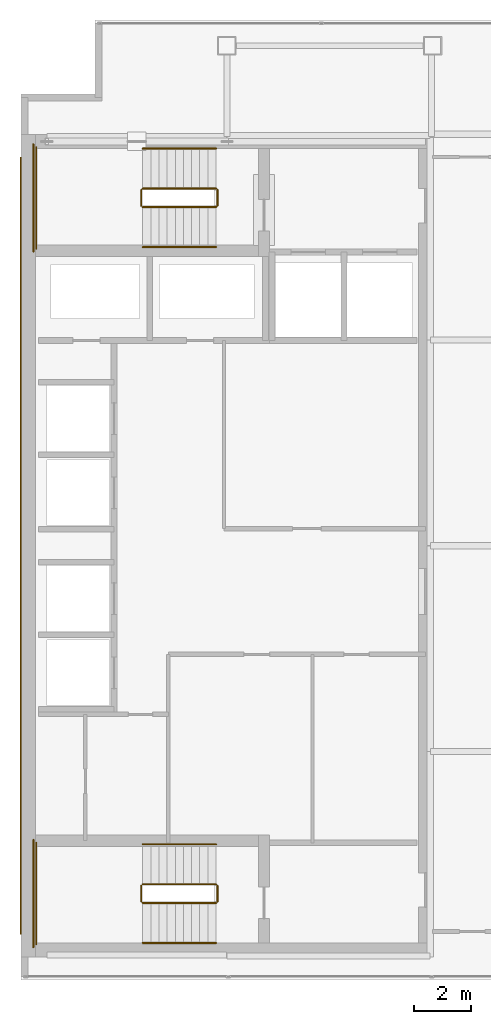
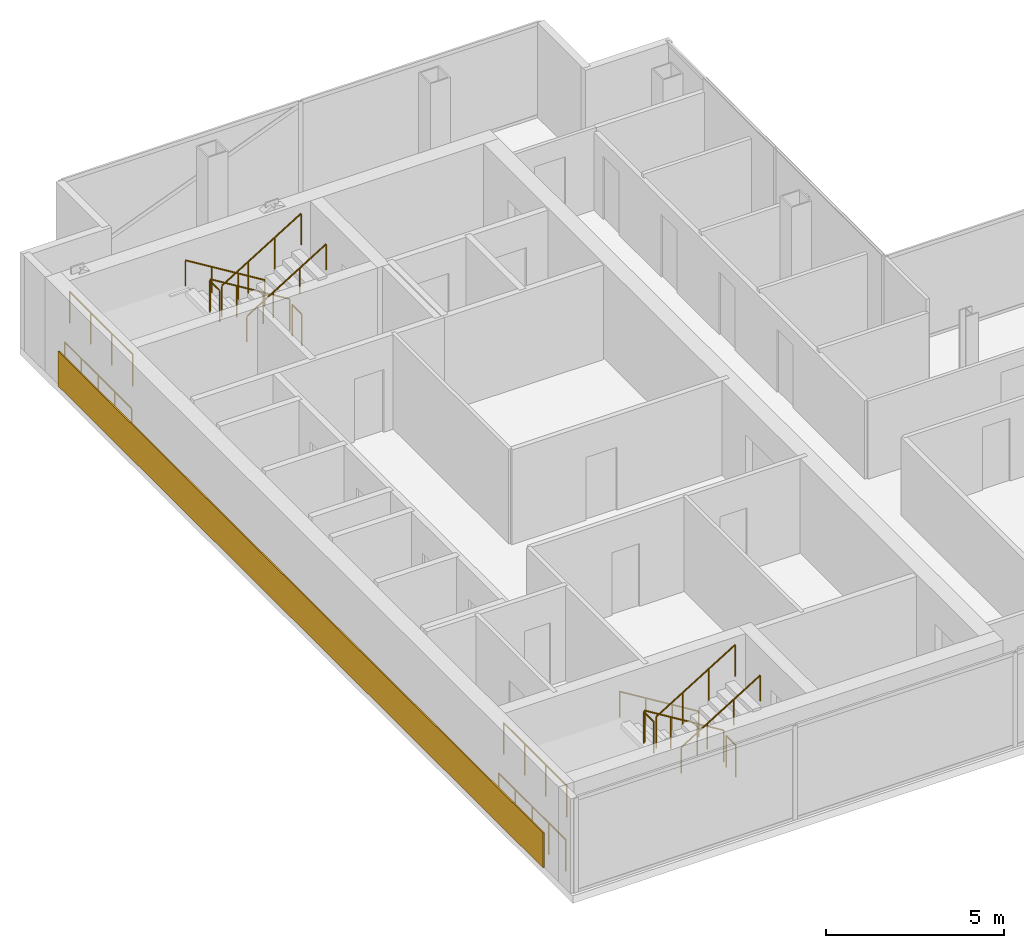
# One storey, part 23 of 23: 16 railings, 1 covering.
"""IFC4 building model written with IfcOpenShell, lengths in metres."""

from ifc_helpers import new_model, si_unit, direction, frame, origin, origin_2d, place, context, subcontext, project, spatial, polyline, circle, outline, extrude, material, layer, layer_set, type_object, element, save


model = new_model("IFC4")

# Units and contexts
model_context = context("Model", 3, precision=1e-05, world=origin(), true_north=direction((0.0, 1.0)))
body_context = subcontext(model_context, "Body", "Model", "MODEL_VIEW")
ifc_project = project(units=[si_unit("LENGTHUNIT", "METRE"), si_unit("AREAUNIT", "SQUARE_METRE"), si_unit("VOLUMEUNIT", "CUBIC_METRE"), si_unit("PLANEANGLEUNIT", "RADIAN"), si_unit("MASSUNIT", "GRAM", prefix="KILO")], contexts=[model_context])

# Site, building, storey
site_placement = place(None, origin())
site = spatial("IfcSite", under=ifc_project, at=site_placement, CompositionType="ELEMENT")
building_placement = place(site_placement, origin())
building = spatial("IfcBuilding", under=site, at=building_placement, Name="Cobrela Telecom Tower", CompositionType="ELEMENT")
storey_placement = place(building_placement, frame((0.0, 0.0, 269.14990234375)))
storey = spatial("IfcBuildingStorey", under=building, at=storey_placement, Name="L70", CompositionType="ELEMENT", Elevation=269.14990234375)

# Covering
ifc_material_1 = material(Name="Bogota Terracotta Architectural Stone", Category="masonry")
ifc_layer = layer(ifc_material_1, 0.0400390625)
ifc_layer_set = layer_set([ifc_layer], Name="Bogota Terracotta Architectural Stone")
covering_type = type_object("IfcCoveringType", Name="COV-CLAD-TERRA", PredefinedType="CLADDING", material=ifc_layer_set)
covering_placement = place(storey_placement, origin())
element("IfcCovering", 1, at=covering_placement, inside=storey, type_object=covering_type, Name="L70 West Core Terracotta Spandrel Cladding Band", PredefinedType="CLADDING", context=body_context, shape_type="SweptSolid", body=[
    extrude(outline(polyline([(-0.0400390625, 8.0), (0.0, 8.0), (0.0, 35.199951171875), (-0.0400390625, 35.199951171875), (-0.0400390625, 8.0)])), origin(), (0.0, 0.0, 1.0), 1.2001953125),
])

# Railings
ifc_material_2 = material(Name="Steel ASTM A36", Category="steel")
railing_type_1 = type_object("IfcRailingType", Name="RAIL-GUARD-1100", PredefinedType="GUARDRAIL", material=ifc_material_2)
railing_1_placement = place(storey_placement, frame((6.820068359375, 34.10009765625, 0.175048828125)))
element("IfcRailing", 2, at=railing_1_placement, inside=storey, type_object=railing_type_1, Name="L70 ST1 stair guard 1", PredefinedType="GUARDRAIL", context=body_context, shape_type="SweptSolid", body=[
    extrude(circle(Radius=0.02392578125, at=origin_2d()), frame((0.0, 0.0, 1.076171875), z_axis=(-0.852195335862, 0.0, 0.523223766217), x_axis=(0.0, -1.0, 0.0)), (0.0, 0.0, 1.0), 3.010009765625),
    extrude(circle(Radius=0.02099609375, at=origin_2d()), origin(), (0.0, 0.0, 1.0), 1.052001953125),
    extrude(circle(Radius=0.02099609375, at=origin_2d()), frame((-0.85498046875, 0.0, 0.52490234375)), (0.0, 0.0, 1.0), 1.052001953125),
    extrude(circle(Radius=0.02099609375, at=origin_2d()), frame((-1.710205078125, 0.0, 1.050048828125)), (0.0, 0.0, 1.0), 1.052001953125),
    extrude(circle(Radius=0.02099609375, at=origin_2d()), frame((-2.565185546875, 0.0, 1.574951171875)), (0.0, 0.0, 1.0), 1.052001953125),
])
railing_2_placement = place(storey_placement, frame((4.205078125, 34.050048828125, 1.75)))
element("IfcRailing", 3, at=railing_2_placement, inside=storey, type_object=railing_type_1, Name="L70 ST1 stair guard 2", PredefinedType="GUARDRAIL", context=body_context, shape_type="SweptSolid", body=[
    extrude(circle(Radius=0.02392578125, at=origin_2d()), frame((0.0, 0.0, 1.076171875), z_axis=(0.0, -1.0, 0.0), x_axis=(1.0, 0.0, 0.0)), (0.0, 0.0, 1.0), 0.550048828125),
    extrude(circle(Radius=0.02099609375, at=origin_2d()), origin(), (0.0, 0.0, 1.0), 1.052001953125),
    extrude(circle(Radius=0.02099609375, at=origin_2d()), frame((0.0, -0.550048828125, 0.0)), (0.0, 0.0, 1.0), 1.052001953125),
])
railing_3_placement = place(storey_placement, frame((0.530029296875, 35.550048828125, 1.75)))
element("IfcRailing", 4, at=railing_3_placement, inside=storey, type_object=railing_type_1, Name="L70 ST1 stair guard 3", PredefinedType="GUARDRAIL", context=body_context, shape_type="SweptSolid", body=[
    extrude(circle(Radius=0.02392578125, at=origin_2d()), frame((0.0, 0.0, 1.076171875), z_axis=(0.0, -1.0, 0.0), x_axis=(1.0, 0.0, 0.0)), (0.0, 0.0, 1.0), 3.550048828125),
    extrude(circle(Radius=0.02099609375, at=origin_2d()), origin(), (0.0, 0.0, 1.0), 1.052001953125),
    extrude(circle(Radius=0.02099609375, at=origin_2d()), frame((0.0, -1.183349609375, 0.0)), (0.0, 0.0, 1.0), 1.052001953125),
    extrude(circle(Radius=0.02099609375, at=origin_2d()), frame((0.0, -2.36669921875, 0.0)), (0.0, 0.0, 1.0), 1.052001953125),
    extrude(circle(Radius=0.02099609375, at=origin_2d()), frame((0.0, -3.550048828125, 0.0)), (0.0, 0.0, 1.0), 1.052001953125),
])
railing_4_placement = place(storey_placement, frame((4.2548828125, 33.449951171875, 1.925048828125)))
element("IfcRailing", 5, at=railing_4_placement, inside=storey, type_object=railing_type_1, Name="L70 ST1 stair guard 4", PredefinedType="GUARDRAIL", context=body_context, shape_type="SweptSolid", body=[
    extrude(circle(Radius=0.02392578125, at=origin_2d()), frame((0.0, 0.0, 1.076171875), z_axis=(0.852195335862, 0.0, 0.523223766217), x_axis=(0.0, 1.0, 0.0)), (0.0, 0.0, 1.0), 3.010009765625),
    extrude(circle(Radius=0.02099609375, at=origin_2d()), origin(), (0.0, 0.0, 1.0), 1.052001953125),
    extrude(circle(Radius=0.02099609375, at=origin_2d()), frame((0.85498046875, 0.0, 0.52490234375)), (0.0, 0.0, 1.0), 1.052001953125),
    extrude(circle(Radius=0.02099609375, at=origin_2d()), frame((1.710205078125, 0.0, 1.050048828125)), (0.0, 0.0, 1.0), 1.052001953125),
    extrude(circle(Radius=0.02099609375, at=origin_2d()), frame((2.565185546875, 0.0, 1.574951171875)), (0.0, 0.0, 1.0), 1.052001953125),
])
railing_5_placement = place(storey_placement, frame((6.8701171875, 34.050048828125, 0.0)))
element("IfcRailing", 6, at=railing_5_placement, inside=storey, type_object=railing_type_1, Name="L70 ST1 stair guard 5", PredefinedType="GUARDRAIL", context=body_context, shape_type="SweptSolid", body=[
    extrude(circle(Radius=0.02392578125, at=origin_2d()), frame((0.0, 0.0, 1.076171875), z_axis=(0.0, -1.0, 0.0), x_axis=(1.0, 0.0, 0.0)), (0.0, 0.0, 1.0), 0.550048828125),
    extrude(circle(Radius=0.02099609375, at=origin_2d()), origin(), (0.0, 0.0, 1.0), 1.052001953125),
    extrude(circle(Radius=0.02099609375, at=origin_2d()), frame((0.0, -0.550048828125, 0.0)), (0.0, 0.0, 1.0), 1.052001953125),
])
railing_6_placement = place(storey_placement, frame((0.429931640625, 35.64990234375, 0.0)))
element("IfcRailing", 7, at=railing_6_placement, inside=storey, type_object=railing_type_1, Name="L70 ST1 stair guard 6", PredefinedType="GUARDRAIL", context=body_context, shape_type="SweptSolid", body=[
    extrude(circle(Radius=0.02392578125, at=origin_2d()), frame((0.0, 0.0, 1.076171875), z_axis=(0.0, -1.0, 0.0), x_axis=(1.0, 0.0, 0.0)), (0.0, 0.0, 1.0), 3.75),
    extrude(circle(Radius=0.02099609375, at=origin_2d()), origin(), (0.0, 0.0, 1.0), 1.052001953125),
    extrude(circle(Radius=0.02099609375, at=origin_2d()), frame((0.0, -0.9375, 0.0)), (0.0, 0.0, 1.0), 1.052001953125),
    extrude(circle(Radius=0.02099609375, at=origin_2d()), frame((0.0, -1.875, 0.0)), (0.0, 0.0, 1.0), 1.052001953125),
    extrude(circle(Radius=0.02099609375, at=origin_2d()), frame((0.0, -2.8125, 0.0)), (0.0, 0.0, 1.0), 1.052001953125),
    extrude(circle(Radius=0.02099609375, at=origin_2d()), frame((0.0, -3.75, 0.0)), (0.0, 0.0, 1.0), 1.052001953125),
])
railing_7_placement = place(storey_placement, frame((6.820068359375, 9.75, 0.175048828125)))
element("IfcRailing", 8, at=railing_7_placement, inside=storey, type_object=railing_type_1, Name="L70 ST2 stair guard 1", PredefinedType="GUARDRAIL", context=body_context, shape_type="SweptSolid", body=[
    extrude(circle(Radius=0.02392578125, at=origin_2d()), frame((0.0, 0.0, 1.076171875), z_axis=(-0.852195335862, 0.0, 0.523223766217), x_axis=(0.0, -1.0, 0.0)), (0.0, 0.0, 1.0), 3.010009765625),
    extrude(circle(Radius=0.02099609375, at=origin_2d()), origin(), (0.0, 0.0, 1.0), 1.052001953125),
    extrude(circle(Radius=0.02099609375, at=origin_2d()), frame((-0.85498046875, 0.0, 0.52490234375)), (0.0, 0.0, 1.0), 1.052001953125),
    extrude(circle(Radius=0.02099609375, at=origin_2d()), frame((-1.710205078125, 0.0, 1.050048828125)), (0.0, 0.0, 1.0), 1.052001953125),
    extrude(circle(Radius=0.02099609375, at=origin_2d()), frame((-2.565185546875, 0.0, 1.574951171875)), (0.0, 0.0, 1.0), 1.052001953125),
])
railing_8_placement = place(storey_placement, frame((4.205078125, 9.699951171875, 1.75)))
element("IfcRailing", 9, at=railing_8_placement, inside=storey, type_object=railing_type_1, Name="L70 ST2 stair guard 2", PredefinedType="GUARDRAIL", context=body_context, shape_type="SweptSolid", body=[
    extrude(circle(Radius=0.02392578125, at=origin_2d()), frame((0.0, 0.0, 1.076171875), z_axis=(0.0, -1.0, 0.0), x_axis=(1.0, 0.0, 0.0)), (0.0, 0.0, 1.0), 0.550048828125),
    extrude(circle(Radius=0.02099609375, at=origin_2d()), origin(), (0.0, 0.0, 1.0), 1.052001953125),
    extrude(circle(Radius=0.02099609375, at=origin_2d()), frame((0.0, -0.550048828125, 0.0)), (0.0, 0.0, 1.0), 1.052001953125),
])
railing_9_placement = place(storey_placement, frame((0.530029296875, 11.199951171875, 1.75)))
element("IfcRailing", 10, at=railing_9_placement, inside=storey, type_object=railing_type_1, Name="L70 ST2 stair guard 3", PredefinedType="GUARDRAIL", context=body_context, shape_type="SweptSolid", body=[
    extrude(circle(Radius=0.02392578125, at=origin_2d()), frame((0.0, 0.0, 1.076171875), z_axis=(0.0, -1.0, 0.0), x_axis=(1.0, 0.0, 0.0)), (0.0, 0.0, 1.0), 3.550048828125),
    extrude(circle(Radius=0.02099609375, at=origin_2d()), origin(), (0.0, 0.0, 1.0), 1.052001953125),
    extrude(circle(Radius=0.02099609375, at=origin_2d()), frame((0.0, -1.183349609375, 0.0)), (0.0, 0.0, 1.0), 1.052001953125),
    extrude(circle(Radius=0.02099609375, at=origin_2d()), frame((0.0, -2.36669921875, 0.0)), (0.0, 0.0, 1.0), 1.052001953125),
    extrude(circle(Radius=0.02099609375, at=origin_2d()), frame((0.0, -3.550048828125, 0.0)), (0.0, 0.0, 1.0), 1.052001953125),
])
railing_10_placement = place(storey_placement, frame((4.2548828125, 9.10009765625, 1.925048828125)))
element("IfcRailing", 11, at=railing_10_placement, inside=storey, type_object=railing_type_1, Name="L70 ST2 stair guard 4", PredefinedType="GUARDRAIL", context=body_context, shape_type="SweptSolid", body=[
    extrude(circle(Radius=0.02392578125, at=origin_2d()), frame((0.0, 0.0, 1.076171875), z_axis=(0.852195335862, 0.0, 0.523223766217), x_axis=(0.0, 1.0, 0.0)), (0.0, 0.0, 1.0), 3.010009765625),
    extrude(circle(Radius=0.02099609375, at=origin_2d()), origin(), (0.0, 0.0, 1.0), 1.052001953125),
    extrude(circle(Radius=0.02099609375, at=origin_2d()), frame((0.85498046875, 0.0, 0.52490234375)), (0.0, 0.0, 1.0), 1.052001953125),
    extrude(circle(Radius=0.02099609375, at=origin_2d()), frame((1.710205078125, 0.0, 1.050048828125)), (0.0, 0.0, 1.0), 1.052001953125),
    extrude(circle(Radius=0.02099609375, at=origin_2d()), frame((2.565185546875, 0.0, 1.574951171875)), (0.0, 0.0, 1.0), 1.052001953125),
])
railing_11_placement = place(storey_placement, frame((6.8701171875, 9.699951171875, 0.0)))
element("IfcRailing", 12, at=railing_11_placement, inside=storey, type_object=railing_type_1, Name="L70 ST2 stair guard 5", PredefinedType="GUARDRAIL", context=body_context, shape_type="SweptSolid", body=[
    extrude(circle(Radius=0.02392578125, at=origin_2d()), frame((0.0, 0.0, 1.076171875), z_axis=(0.0, -1.0, 0.0), x_axis=(1.0, 0.0, 0.0)), (0.0, 0.0, 1.0), 0.550048828125),
    extrude(circle(Radius=0.02099609375, at=origin_2d()), origin(), (0.0, 0.0, 1.0), 1.052001953125),
    extrude(circle(Radius=0.02099609375, at=origin_2d()), frame((0.0, -0.550048828125, 0.0)), (0.0, 0.0, 1.0), 1.052001953125),
])
railing_12_placement = place(storey_placement, frame((0.429931640625, 11.300048828125, 0.0)))
element("IfcRailing", 13, at=railing_12_placement, inside=storey, type_object=railing_type_1, Name="L70 ST2 stair guard 6", PredefinedType="GUARDRAIL", context=body_context, shape_type="SweptSolid", body=[
    extrude(circle(Radius=0.02392578125, at=origin_2d()), frame((0.0, 0.0, 1.076171875), z_axis=(0.0, -1.0, 0.0), x_axis=(1.0, 0.0, 0.0)), (0.0, 0.0, 1.0), 3.75),
    extrude(circle(Radius=0.02099609375, at=origin_2d()), origin(), (0.0, 0.0, 1.0), 1.052001953125),
    extrude(circle(Radius=0.02099609375, at=origin_2d()), frame((0.0, -0.9375, 0.0)), (0.0, 0.0, 1.0), 1.052001953125),
    extrude(circle(Radius=0.02099609375, at=origin_2d()), frame((0.0, -1.875, 0.0)), (0.0, 0.0, 1.0), 1.052001953125),
    extrude(circle(Radius=0.02099609375, at=origin_2d()), frame((0.0, -2.8125, 0.0)), (0.0, 0.0, 1.0), 1.052001953125),
    extrude(circle(Radius=0.02099609375, at=origin_2d()), frame((0.0, -3.75, 0.0)), (0.0, 0.0, 1.0), 1.052001953125),
])
railing_type_2 = type_object("IfcRailingType", Name="RAIL-HAND-920", PredefinedType="HANDRAIL", material=ifc_material_2)
railing_13_placement = place(storey_placement, frame((6.820068359375, 35.5, 0.175048828125)))
element("IfcRailing", 14, at=railing_13_placement, inside=storey, type_object=railing_type_2, Name="L70 ST1 stair handrail 1", PredefinedType="HANDRAIL", context=body_context, shape_type="SweptSolid", body=[
    extrude(circle(Radius=0.02392578125, at=origin_2d()), frame((0.0, 0.0, 0.8759765625), z_axis=(-0.852195335862, 0.0, 0.523223766217), x_axis=(0.0, -1.0, 0.0)), (0.0, 0.0, 1.0), 3.010009765625),
    extrude(circle(Radius=0.02099609375, at=origin_2d()), origin(), (0.0, 0.0, 1.0), 0.851806640625),
    extrude(circle(Radius=0.02099609375, at=origin_2d()), frame((-0.85498046875, 0.0, 0.52490234375)), (0.0, 0.0, 1.0), 0.851806640625),
    extrude(circle(Radius=0.02099609375, at=origin_2d()), frame((-1.710205078125, 0.0, 1.050048828125)), (0.0, 0.0, 1.0), 0.851806640625),
    extrude(circle(Radius=0.02099609375, at=origin_2d()), frame((-2.565185546875, 0.0, 1.574951171875)), (0.0, 0.0, 1.0), 0.851806640625),
])
railing_14_placement = place(storey_placement, frame((4.2548828125, 32.050048828125, 1.925048828125)))
element("IfcRailing", 15, at=railing_14_placement, inside=storey, type_object=railing_type_2, Name="L70 ST1 stair handrail 2", PredefinedType="HANDRAIL", context=body_context, shape_type="SweptSolid", body=[
    extrude(circle(Radius=0.02392578125, at=origin_2d()), frame((0.0, 0.0, 0.8759765625), z_axis=(0.852195335862, 0.0, 0.523223766217), x_axis=(0.0, 1.0, 0.0)), (0.0, 0.0, 1.0), 3.010009765625),
    extrude(circle(Radius=0.02099609375, at=origin_2d()), origin(), (0.0, 0.0, 1.0), 0.851806640625),
    extrude(circle(Radius=0.02099609375, at=origin_2d()), frame((0.85498046875, 0.0, 0.52490234375)), (0.0, 0.0, 1.0), 0.851806640625),
    extrude(circle(Radius=0.02099609375, at=origin_2d()), frame((1.710205078125, 0.0, 1.050048828125)), (0.0, 0.0, 1.0), 0.851806640625),
    extrude(circle(Radius=0.02099609375, at=origin_2d()), frame((2.565185546875, 0.0, 1.574951171875)), (0.0, 0.0, 1.0), 0.851806640625),
])
railing_15_placement = place(storey_placement, frame((6.820068359375, 11.14990234375, 0.175048828125)))
element("IfcRailing", 16, at=railing_15_placement, inside=storey, type_object=railing_type_2, Name="L70 ST2 stair handrail 1", PredefinedType="HANDRAIL", context=body_context, shape_type="SweptSolid", body=[
    extrude(circle(Radius=0.02392578125, at=origin_2d()), frame((0.0, 0.0, 0.8759765625), z_axis=(-0.852195335862, 0.0, 0.523223766217), x_axis=(0.0, -1.0, 0.0)), (0.0, 0.0, 1.0), 3.010009765625),
    extrude(circle(Radius=0.02099609375, at=origin_2d()), origin(), (0.0, 0.0, 1.0), 0.851806640625),
    extrude(circle(Radius=0.02099609375, at=origin_2d()), frame((-0.85498046875, 0.0, 0.52490234375)), (0.0, 0.0, 1.0), 0.851806640625),
    extrude(circle(Radius=0.02099609375, at=origin_2d()), frame((-1.710205078125, 0.0, 1.050048828125)), (0.0, 0.0, 1.0), 0.851806640625),
    extrude(circle(Radius=0.02099609375, at=origin_2d()), frame((-2.565185546875, 0.0, 1.574951171875)), (0.0, 0.0, 1.0), 0.851806640625),
])
railing_16_placement = place(storey_placement, frame((4.2548828125, 7.699951171875, 1.925048828125)))
element("IfcRailing", 17, at=railing_16_placement, inside=storey, type_object=railing_type_2, Name="L70 ST2 stair handrail 2", PredefinedType="HANDRAIL", context=body_context, shape_type="SweptSolid", body=[
    extrude(circle(Radius=0.02392578125, at=origin_2d()), frame((0.0, 0.0, 0.8759765625), z_axis=(0.852195335862, 0.0, 0.523223766217), x_axis=(0.0, 1.0, 0.0)), (0.0, 0.0, 1.0), 3.010009765625),
    extrude(circle(Radius=0.02099609375, at=origin_2d()), origin(), (0.0, 0.0, 1.0), 0.851806640625),
    extrude(circle(Radius=0.02099609375, at=origin_2d()), frame((0.85498046875, 0.0, 0.52490234375)), (0.0, 0.0, 1.0), 0.851806640625),
    extrude(circle(Radius=0.02099609375, at=origin_2d()), frame((1.710205078125, 0.0, 1.050048828125)), (0.0, 0.0, 1.0), 0.851806640625),
    extrude(circle(Radius=0.02099609375, at=origin_2d()), frame((2.565185546875, 0.0, 1.574951171875)), (0.0, 0.0, 1.0), 0.851806640625),
])

save(model, "model.ifc")
